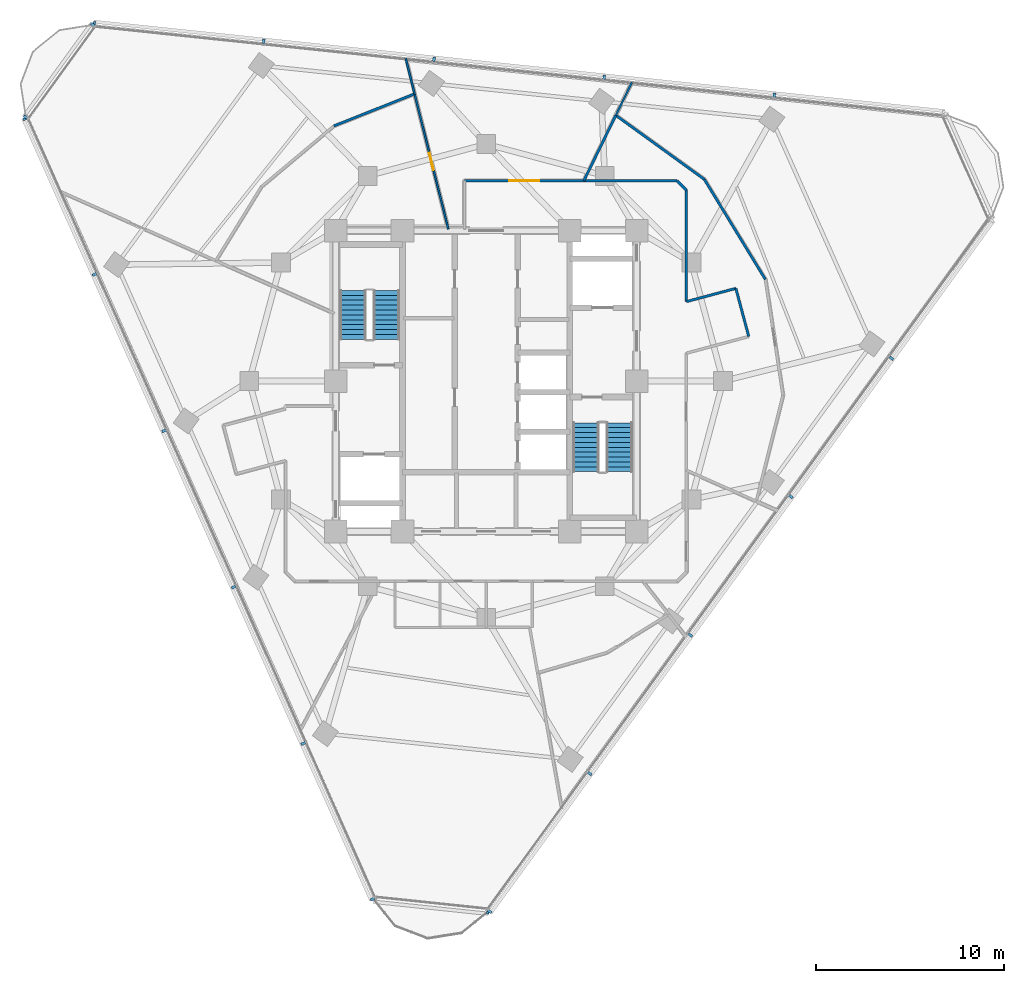
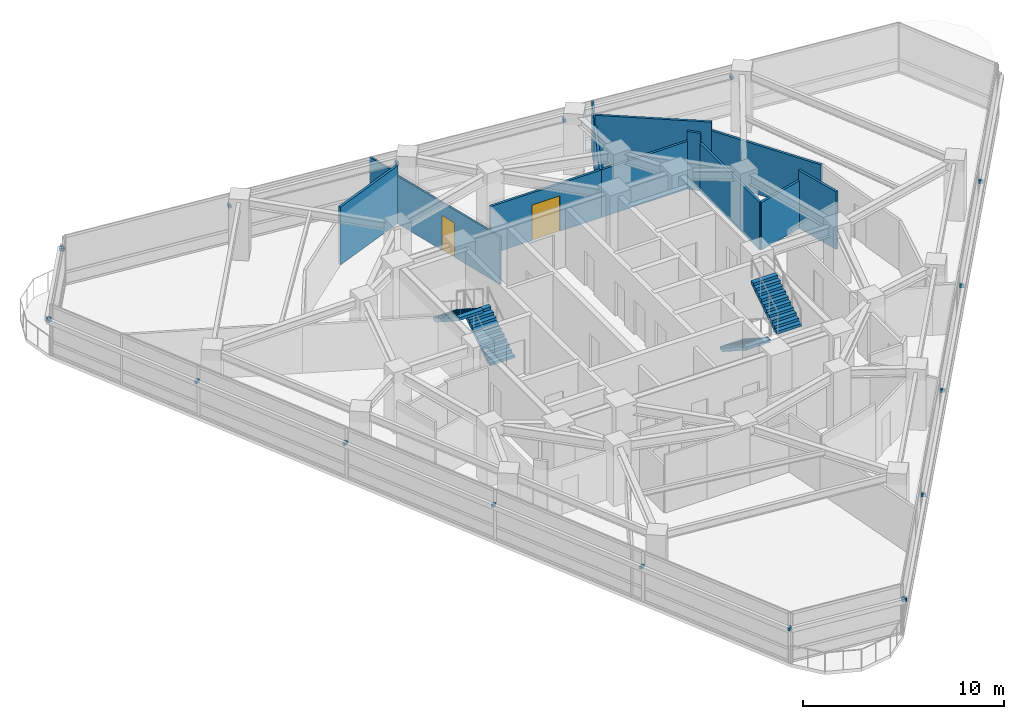
# One storey, part 10 of 15: 19 discrete accessories, 13 walls, 4 stair flights, 2 doors, 2 openings, 2 elements without a shape of their own.
"""IFC4 building model written with IfcOpenShell, lengths in metres."""

from ifc_helpers import new_model, si_unit, direction, frame, frame_2d, origin, origin_2d, place, context, subcontext, project, spatial, polyline, rectangle, outline, extrude, material, layer, layer_set, type_object, element, fill, aggregate, save


model = new_model("IFC4")

# Units and contexts
model_context = context("Model", 3, precision=1e-05, world=origin(), true_north=direction((0.0, 1.0)))
body_context = subcontext(model_context, "Body", "Model", "MODEL_VIEW")
ifc_project = project(units=[si_unit("LENGTHUNIT", "METRE"), si_unit("AREAUNIT", "SQUARE_METRE"), si_unit("VOLUMEUNIT", "CUBIC_METRE"), si_unit("PLANEANGLEUNIT", "RADIAN"), si_unit("MASSUNIT", "GRAM", prefix="KILO")], contexts=[model_context])

# Site, building, storey
site_placement = place(None, origin())
site = spatial("IfcSite", under=ifc_project, at=site_placement, CompositionType="ELEMENT")
building_placement = place(site_placement, origin())
building = spatial("IfcBuilding", under=site, at=building_placement, Name="Terralouvre Media Tower", CompositionType="ELEMENT")
storey_placement = place(building_placement, frame((0.0, 0.0, 233.699951171875)))
storey = spatial("IfcBuildingStorey", under=building, at=storey_placement, Name="L60", CompositionType="ELEMENT", Elevation=233.699951171875)

# Wall
ifc_material_1 = material(Name="Low-iron laminated double glazing with solar-control coating", Category="glass")
ifc_layer_1 = layer(ifc_material_1, 0.10009765625, Name="Demountable Glazed Office Partition PT-GL100")
ifc_layer_set_1 = layer_set([ifc_layer_1], Name="Low-iron laminated double glazing with solar-control coating")
wall_type_1 = type_object("IfcWallType", Name="Demountable Glazed Office Partition PT-GL100", PredefinedType="MOVABLE", material=ifc_layer_set_1)
wall_1_placement = place(storey_placement, frame((7.74658203125, 15.882080078125, 0.0), z_axis=(0.0, 0.0, 1.0), x_axis=(-0.438571753549, -0.898696176129, 0.0)))
element("IfcWall", 1, at=wall_1_placement, inside=storey, type_object=wall_type_1, Name="L60 Interior Partition 048", PredefinedType="MOVABLE", context=body_context, shape_type="SweptSolid", body=[
    extrude(rectangle(XDim=1.9482421875, YDim=0.10009765625, at=frame_2d((0.97412109375, 0.0))), origin(), (0.0, 0.0, 1.0), 3.03515625),
])

# Wall, opening, door
wall_2_placement = place(storey_placement, frame((-3.80810546875, 15.27099609375, 0.0), z_axis=(0.0, 0.0, 1.0), x_axis=(0.241993010569, -0.970277992555, 0.0)))
wall_2 = element("IfcWall", 2, at=wall_2_placement, inside=storey, type_object=wall_type_1, Name="L60 Interior Partition 049", PredefinedType="MOVABLE", context=body_context, shape_type="SweptSolid", body=[
    extrude(rectangle(XDim=7.4111328125, YDim=0.10009765625, at=frame_2d((3.70556640625, 0.0))), origin(), (0.0, 0.0, 1.0), 2.885009765625),
])
opening_1_placement = place(wall_2_placement, frame((3.24560546875, 0.0, 0.0)))
opening_1 = element("IfcOpeningElement", 3, at=opening_1_placement, cuts=wall_2, Name="Opening ID-03-92X210", PredefinedType="OPENING", context=body_context, shape_type="SweptSolid", body=[
    extrude(rectangle(XDim=0.919921875, YDim=2.10009765625, at=frame_2d((0.4599609375, 1.050048828125))), frame((0.0, 0.06005859375, 0.0), z_axis=(0.0, -1.0, 0.0), x_axis=(1.0, 0.0, 0.0)), (0.0, 0.0, 1.0), 0.1201171875),
])
ifc_material_2 = material(Name="Engineered hardwood acoustic timber leaf", Category="wood")
door_type_1 = type_object("IfcDoorType", Name="Accessible Restroom and Suite Door ID-03 (920x2100)", OperationType="NOTDEFINED", PredefinedType="DOOR", material=ifc_material_2)
door_1_placement = place(opening_1_placement, origin())
door_1 = element("IfcDoor", 4, at=door_1_placement, inside=storey, type_object=door_type_1, Name="L60 Fact-Check Reference Library 9 Door", OperationType="SINGLE_SWING_LEFT", OverallHeight=2.10009765625, OverallWidth=0.919921875, PredefinedType="DOOR", context=body_context, shape_type="SweptSolid", body=[
    extrude(rectangle(XDim=0.919921875, YDim=2.10009765625, at=frame_2d((0.4599609375, 1.050048828125))), frame((0.0, 0.02490234375, 0.0), z_axis=(0.0, -1.0, 0.0), x_axis=(1.0, 0.0, 0.0)), (0.0, 0.0, 1.0), 0.050048828125),
])
fill(opening_1, door_1)

# Walls
wall_3_placement = place(storey_placement, frame((-4.275390625, 17.1455078125, 0.0), z_axis=(0.0, 0.0, 1.0), x_axis=(0.241881394388, -0.970305823464, 0.0)))
element("IfcWall", 5, at=wall_3_placement, inside=storey, type_object=wall_type_1, Name="L60 Interior Partition 050", PredefinedType="MOVABLE", context=body_context, shape_type="SweptSolid", body=[
    extrude(rectangle(XDim=1.931884765625, YDim=0.10009765625, at=frame_2d((0.9658203125, 0.0))), origin(), (0.0, 0.0, 1.0), 3.03515625),
])
ifc_material_3 = material(Name="Fire-rated gypsum board drywall partition")
ifc_layer_2 = layer(ifc_material_3, 0.135009765625, Name="Newsroom Acoustic Partition PT-135")
ifc_layer_set_2 = layer_set([ifc_layer_2], Name="Fire-rated gypsum board drywall partition")
wall_type_2 = type_object("IfcWallType", Name="Newsroom Acoustic Partition PT-135", PredefinedType="PARTITIONING", material=ifc_layer_set_2)
wall_4_placement = place(storey_placement, frame((13.9619140625, 2.368896484375, 0.0), z_axis=(0.0, 0.0, 1.0), x_axis=(-0.258413725385, 0.966034340245, 0.0)))
element("IfcWall", 6, at=wall_4_placement, inside=storey, type_object=wall_type_2, Name="L60 Interior Partition 010", PredefinedType="PARTITIONING", context=body_context, shape_type="SweptSolid", body=[
    extrude(rectangle(XDim=2.650146484375, YDim=0.135009765625, at=frame_2d((1.3251953125, 0.0))), origin(), (0.0, 0.0, 1.0), 3.5),
])
wall_5_placement = place(storey_placement, frame((13.277099609375, 4.928955078125, 0.0), z_axis=(0.0, 0.0, 1.0), x_axis=(-0.965934830229, -0.258785439601, 0.0)))
element("IfcWall", 7, at=wall_5_placement, inside=storey, type_object=wall_type_2, Name="L60 Interior Partition 011", PredefinedType="PARTITIONING", context=body_context, shape_type="SweptSolid", body=[
    extrude(rectangle(XDim=2.719970703125, YDim=0.135009765625, at=frame_2d((1.35986328125, 0.0))), origin(), (0.0, 0.0, 1.0), 2.885009765625),
])
wall_6_placement = place(storey_placement, frame((10.64990234375, 4.22509765625, 0.0), z_axis=(0.0, 0.0, 1.0), x_axis=(0.0, 1.0, 0.0)))
element("IfcWall", 8, at=wall_6_placement, inside=storey, type_object=wall_type_2, Name="L60 Interior Partition 012", PredefinedType="PARTITIONING", context=body_context, shape_type="SweptSolid", body=[
    extrude(rectangle(XDim=5.9248046875, YDim=0.135009765625, at=frame_2d((2.96240234375, 0.0))), origin(), (0.0, 0.0, 1.0), 2.885009765625),
])
wall_7_placement = place(storey_placement, frame((10.64990234375, 10.14990234375, 0.0), z_axis=(0.0, 0.0, 1.0), x_axis=(-0.707106781187, 0.707106781187, 0.0)))
element("IfcWall", 9, at=wall_7_placement, inside=storey, type_object=wall_type_2, Name="L60 Interior Partition 013", PredefinedType="PARTITIONING", context=body_context, shape_type="SweptSolid", body=[
    extrude(rectangle(XDim=0.70703125, YDim=0.135009765625, at=frame_2d((0.353515625, 0.0))), origin(), (0.0, 0.0, 1.0), 3.5),
])
wall_8_placement = place(storey_placement, frame((10.14990234375, 10.64990234375, 0.0), z_axis=(0.0, 0.0, 1.0), x_axis=(-1.0, 0.0, 0.0)))
element("IfcWall", 10, at=wall_8_placement, inside=storey, type_object=wall_type_2, Name="L60 Interior Partition 014", PredefinedType="PARTITIONING", context=body_context, shape_type="SweptSolid", body=[
    extrude(rectangle(XDim=4.955810546875, YDim=0.135009765625, at=frame_2d((2.47802734375, 0.0))), origin(), (0.0, 0.0, 1.0), 2.885009765625),
])

# Wall, opening, door
wall_9_placement = place(storey_placement, frame((5.194091796875, 10.64990234375, 0.0), z_axis=(0.0, 0.0, 1.0), x_axis=(-1.0, 0.0, 0.0)))
wall_9 = element("IfcWall", 11, at=wall_9_placement, inside=storey, type_object=wall_type_2, Name="L60 Interior Partition 023", PredefinedType="PARTITIONING", context=body_context, shape_type="SweptSolid", body=[
    extrude(rectangle(XDim=6.343994140625, YDim=0.135009765625, at=frame_2d((3.171875, 0.0))), origin(), (0.0, 0.0, 1.0), 2.885009765625),
])
opening_2_placement = place(wall_9_placement, frame((2.3720703125, 0.0, 0.0)))
opening_2 = element("IfcOpeningElement", 12, at=opening_2_placement, cuts=wall_9, Name="Opening ID-04-160X215", PredefinedType="OPENING", context=body_context, shape_type="SweptSolid", body=[
    extrude(rectangle(XDim=1.60009765625, YDim=2.14990234375, at=frame_2d((0.800048828125, 1.074951171875))), frame((0.0, 0.077392578125, 0.0), z_axis=(0.0, -1.0, 0.0), x_axis=(1.0, 0.0, 0.0)), (0.0, 0.0, 1.0), 0.155029296875),
])
ifc_material_4 = material(Name="Engineered hardwood acoustic timber leaf", Category="wood")
door_type_2 = type_object("IfcDoorType", Name="Conference Double Acoustic Door ID-04 (1600x2150)", OperationType="DOUBLE_DOOR_SINGLE_SWING", PredefinedType="DOOR", material=ifc_material_4)
door_2_placement = place(opening_2_placement, origin())
door_2 = element("IfcDoor", 13, at=door_2_placement, inside=storey, type_object=door_type_2, Name="L60 Legal Vetting Conference Room 8 Door", OperationType="DOUBLE_DOOR_SINGLE_SWING", OverallHeight=2.14990234375, OverallWidth=1.60009765625, PredefinedType="DOOR", context=body_context, shape_type="SweptSolid", body=[
    extrude(rectangle(XDim=1.60009765625, YDim=2.14990234375, at=frame_2d((0.800048828125, 1.074951171875))), frame((0.0, 0.02490234375, 0.0), z_axis=(0.0, -1.0, 0.0), x_axis=(1.0, 0.0, 0.0)), (0.0, 0.0, 1.0), 0.050048828125),
])
fill(opening_2, door_2)

# Walls
wall_10_placement = place(storey_placement, frame((14.846923828125, 5.404052734375, 0.0), z_axis=(0.0, 0.0, 1.0), x_axis=(-0.520646426704, 0.853772392597, 0.0)))
element("IfcWall", 14, at=wall_10_placement, inside=storey, type_object=wall_type_2, Name="L60 Interior Partition 031", PredefinedType="PARTITIONING", context=body_context, shape_type="SweptSolid", body=[
    extrude(rectangle(XDim=6.232421875, YDim=0.135009765625, at=frame_2d((3.1162109375, 0.0))), origin(), (0.0, 0.0, 1.0), 2.985107421875),
])
wall_11_placement = place(storey_placement, frame((11.60205078125, 10.72509765625, 0.0), z_axis=(0.0, 0.0, 1.0), x_axis=(-0.810322435649, 0.58598425771, 0.0)))
element("IfcWall", 15, at=wall_11_placement, inside=storey, type_object=wall_type_2, Name="L60 Interior Partition 032", PredefinedType="PARTITIONING", context=body_context, shape_type="SweptSolid", body=[
    extrude(rectangle(XDim=5.8125, YDim=0.135009765625, at=frame_2d((2.90625, 0.0))), origin(), (0.0, 0.0, 1.0), 3.5),
])
wall_12_placement = place(storey_placement, frame((6.89208984375, 14.131103515625, 0.0), z_axis=(0.0, 0.0, 1.0), x_axis=(-0.438392584888, -0.898783589923, 0.0)))
element("IfcWall", 16, at=wall_12_placement, inside=storey, type_object=wall_type_2, Name="L60 Interior Partition 033", PredefinedType="PARTITIONING", context=body_context, shape_type="SweptSolid", body=[
    extrude(rectangle(XDim=3.873291015625, YDim=0.135009765625, at=frame_2d((1.9365234375, 0.0))), origin(), (0.0, 0.0, 1.0), 2.885009765625),
])
wall_13_placement = place(storey_placement, frame((-3.80810546875, 15.27099609375, 0.0), z_axis=(0.0, 0.0, 1.0), x_axis=(-0.929356809345, -0.369182774414, 0.0)))
element("IfcWall", 17, at=wall_13_placement, inside=storey, type_object=wall_type_2, Name="L60 Interior Partition 051", PredefinedType="PARTITIONING", context=body_context, shape_type="SweptSolid", body=[
    extrude(rectangle(XDim=4.615966796875, YDim=0.135009765625, at=frame_2d((2.30810546875, 0.0))), origin(), (0.0, 0.0, 1.0), 3.5),
])

# Stair, stair flights
ifc_material_5 = material(Name="Concrete C45/55", Category="concrete")
stair_type_1 = type_object("IfcStairType", Name="Dogleg Stair Assembly ST-01", PredefinedType="HALF_TURN_STAIR", material=ifc_material_5)
stair_1_placement = place(storey_placement, origin())
stair_1 = element("IfcStair", 18, at=stair_1_placement, inside=storey, type_object=stair_type_1, Name="L60 Core Pressurised Exit Stair ST-01", PredefinedType="HALF_TURN_STAIR")
ifc_material_6 = material(Name="Concrete C45/55", Category="concrete")
stair_flight_type = type_object("IfcStairFlightType", Name="Reinforced Concrete Stair Flight SF-RC1", PredefinedType="STRAIGHT", material=ifc_material_6)
stair_flight_1_placement = place(storey_placement, frame((-5.300048828125, 2.219970703125, 0.0), z_axis=(0.0, 0.0, 1.0), x_axis=(0.0, 1.0, 0.0)))
stair_flight_1 = element("IfcStairFlight", 19, at=stair_flight_1_placement, type_object=stair_flight_type, Name="ST-01 flight 1", NumberOfRisers=11, NumberOfTreads=10, PredefinedType="STRAIGHT", RiserHeight=0.168181818, TreadLength=0.26, context=body_context, shape_type="SweptSolid", body=[
    extrude(outline(polyline([(0.0, 0.0), (0.0, 0.168212890625), (0.260009765625, 0.168212890625), (0.260009765625, 0.33642578125), (0.52001953125, 0.33642578125), (0.52001953125, 0.504638671875), (0.780029296875, 0.504638671875), (0.780029296875, 0.672607421875), (1.0400390625, 0.672607421875), (1.0400390625, 0.8408203125), (1.300048828125, 0.8408203125), (1.300048828125, 1.009033203125), (1.56005859375, 1.009033203125), (1.56005859375, 1.17724609375), (1.820068359375, 1.17724609375), (1.820068359375, 1.345458984375), (2.080078125, 1.345458984375), (2.080078125, 1.513671875), (2.340087890625, 1.513671875), (2.340087890625, 1.681884765625), (2.60009765625, 1.681884765625), (2.60009765625, 1.85009765625), (2.60009765625, 1.503173828125), (0.27587890625, 0.0), (0.0, 0.0)])), frame((0.0, 0.699951171875, 0.0), z_axis=(0.0, -1.0, 0.0), x_axis=(1.0, 0.0, 0.0)), (0.0, 0.0, 1.0), 1.39990234375),
])
stair_flight_2_placement = place(storey_placement, frame((-7.080078125, 4.820068359375, 1.85009765625), z_axis=(0.0, 0.0, 1.0), x_axis=(0.0, -1.0, 0.0)))
stair_flight_2 = element("IfcStairFlight", 20, at=stair_flight_2_placement, type_object=stair_flight_type, Name="ST-01 flight 2", NumberOfRisers=11, NumberOfTreads=10, PredefinedType="STRAIGHT", RiserHeight=0.168181818, TreadLength=0.26, context=body_context, shape_type="SweptSolid", body=[
    extrude(outline(polyline([(0.0, 0.0), (0.0, 0.168212890625), (0.260009765625, 0.168212890625), (0.260009765625, 0.33642578125), (0.52001953125, 0.33642578125), (0.52001953125, 0.504638671875), (0.780029296875, 0.504638671875), (0.780029296875, 0.672607421875), (1.0400390625, 0.672607421875), (1.0400390625, 0.8408203125), (1.300048828125, 0.8408203125), (1.300048828125, 1.009033203125), (1.56005859375, 1.009033203125), (1.56005859375, 1.17724609375), (1.820068359375, 1.17724609375), (1.820068359375, 1.345458984375), (2.080078125, 1.345458984375), (2.080078125, 1.513671875), (2.340087890625, 1.513671875), (2.340087890625, 1.681884765625), (2.60009765625, 1.681884765625), (2.60009765625, 1.85009765625), (2.60009765625, 1.503173828125), (0.27587890625, 0.0), (0.0, 0.0)])), frame((0.0, 0.699951171875, 0.0), z_axis=(0.0, -1.0, 0.0), x_axis=(1.0, 0.0, 0.0)), (0.0, 0.0, 1.0), 1.39990234375),
])
aggregate(stair_1, [stair_flight_1, stair_flight_2])

ifc_material_7 = material(Name="Concrete C45/55", Category="concrete")
stair_type_2 = type_object("IfcStairType", Name="Dogleg Stair Assembly ST-02", PredefinedType="HALF_TURN_STAIR", material=ifc_material_7)
stair_2_placement = place(storey_placement, origin())
stair_2 = element("IfcStair", 21, at=stair_2_placement, inside=storey, type_object=stair_type_2, Name="L60 Core Pressurised Exit Stair ST-02", PredefinedType="HALF_TURN_STAIR")
stair_flight_3_placement = place(storey_placement, frame((5.300048828125, -2.219970703125, 0.0), z_axis=(0.0, 0.0, 1.0), x_axis=(0.0, -1.0, 0.0)))
stair_flight_3 = element("IfcStairFlight", 22, at=stair_flight_3_placement, type_object=stair_flight_type, Name="ST-02 flight 1", NumberOfRisers=11, NumberOfTreads=10, PredefinedType="STRAIGHT", RiserHeight=0.168181818, TreadLength=0.26, context=body_context, shape_type="SweptSolid", body=[
    extrude(outline(polyline([(0.0, 0.0), (0.0, 0.168212890625), (0.260009765625, 0.168212890625), (0.260009765625, 0.33642578125), (0.52001953125, 0.33642578125), (0.52001953125, 0.504638671875), (0.780029296875, 0.504638671875), (0.780029296875, 0.672607421875), (1.0400390625, 0.672607421875), (1.0400390625, 0.8408203125), (1.300048828125, 0.8408203125), (1.300048828125, 1.009033203125), (1.56005859375, 1.009033203125), (1.56005859375, 1.17724609375), (1.820068359375, 1.17724609375), (1.820068359375, 1.345458984375), (2.080078125, 1.345458984375), (2.080078125, 1.513671875), (2.340087890625, 1.513671875), (2.340087890625, 1.681884765625), (2.60009765625, 1.681884765625), (2.60009765625, 1.85009765625), (2.60009765625, 1.503173828125), (0.27587890625, 0.0), (0.0, 0.0)])), frame((0.0, 0.699951171875, 0.0), z_axis=(0.0, -1.0, 0.0), x_axis=(1.0, 0.0, 0.0)), (0.0, 0.0, 1.0), 1.39990234375),
])
stair_flight_4_placement = place(storey_placement, frame((7.080078125, -4.820068359375, 1.85009765625), z_axis=(0.0, 0.0, 1.0), x_axis=(0.0, 1.0, 0.0)))
stair_flight_4 = element("IfcStairFlight", 23, at=stair_flight_4_placement, type_object=stair_flight_type, Name="ST-02 flight 2", NumberOfRisers=11, NumberOfTreads=10, PredefinedType="STRAIGHT", RiserHeight=0.168181818, TreadLength=0.26, context=body_context, shape_type="SweptSolid", body=[
    extrude(outline(polyline([(0.0, 0.0), (0.0, 0.168212890625), (0.260009765625, 0.168212890625), (0.260009765625, 0.33642578125), (0.52001953125, 0.33642578125), (0.52001953125, 0.504638671875), (0.780029296875, 0.504638671875), (0.780029296875, 0.672607421875), (1.0400390625, 0.672607421875), (1.0400390625, 0.8408203125), (1.300048828125, 0.8408203125), (1.300048828125, 1.009033203125), (1.56005859375, 1.009033203125), (1.56005859375, 1.17724609375), (1.820068359375, 1.17724609375), (1.820068359375, 1.345458984375), (2.080078125, 1.345458984375), (2.080078125, 1.513671875), (2.340087890625, 1.513671875), (2.340087890625, 1.681884765625), (2.60009765625, 1.681884765625), (2.60009765625, 1.85009765625), (2.60009765625, 1.503173828125), (0.27587890625, 0.0), (0.0, 0.0)])), frame((0.0, 0.699951171875, 0.0), z_axis=(0.0, -1.0, 0.0), x_axis=(1.0, 0.0, 0.0)), (0.0, 0.0, 1.0), 1.39990234375),
])
aggregate(stair_2, [stair_flight_3, stair_flight_4])

# Discrete accessories
ifc_material_8 = material(Name="Anodised extruded aluminium 6063-T6", Category="aluminium")
discrete_accessory_type = type_object("IfcDiscreteAccessoryType", Name="Mullion Stand-Off Baguette Fixing Bracket BK-01", PredefinedType="BRACKET", material=ifc_material_8)
for number, where, z_axis, x_axis, name in (
    (24, (0.180419921875, -28.205322265625, 2.07421875), (0.0, 0.0, 1.0), (0.587785300879, 0.809016959074, 0.0), "CW-L60-F0 Baguette Outrigger Bracket 1.01"),
    (25, (5.50732421875, -20.87353515625, 2.07421875), (0.0, 0.0, 1.0), (0.587785300879, 0.809016959074, 0.0), "CW-L60-F0 Baguette Outrigger Bracket 1.02"),
    (26, (10.856201171875, -13.511474609375, 2.07421875), (0.0, 0.0, 1.0), (0.587785300879, 0.809016959074, 0.0), "CW-L60-F0 Baguette Outrigger Bracket 1.03"),
    (27, (16.205078125, -6.1494140625, 2.07421875), (0.0, 0.0, 1.0), (0.587785300879, 0.809016959074, 0.0), "CW-L60-F0 Baguette Outrigger Bracket 1.04"),
    (28, (21.553955078125, 1.212646484375, 2.07421875), (0.0, 0.0, 1.0), (0.587785300879, 0.809016959074, 0.0), "CW-L60-F0 Baguette Outrigger Bracket 1.05"),
    (29, (15.323486328125, 15.206298828125, 2.07421875), (0.0, 0.0, 1.0), (-0.994521885028, 0.104528561651, 0.0), "CW-L60-F1 Baguette Outrigger Bracket 1.02"),
    (30, (6.273193359375, 16.157470703125, 2.07421875), (0.0, 0.0, 1.0), (-0.994521885028, 0.104528561651, 0.0), "CW-L60-F1 Baguette Outrigger Bracket 1.03"),
    (31, (-2.77685546875, 17.108642578125, 2.07421875), (0.0, 0.0, 1.0), (-0.994521885028, 0.104528561651, 0.0), "CW-L60-F1 Baguette Outrigger Bracket 1.04"),
    (32, (-11.826904296875, 18.059814453125, 2.07421875), (0.0, 0.0, 1.0), (-0.994521885028, 0.104528561651, 0.0), "CW-L60-F1 Baguette Outrigger Bracket 1.05"),
    (33, (-20.83984375, 19.007080078125, 2.07421875), (0.0, 0.0, 1.0), (-0.994521885028, 0.104528561651, 0.0), "CW-L60-F1 Baguette Outrigger Bracket 1.06"),
    (34, (-24.516845703125, 13.9462890625, 2.07421875), (0.0, 0.0, 1.0), (0.406736679636, -0.913545441365, 0.0), "CW-L60-F2 Baguette Outrigger Bracket 1.01"),
    (35, (-20.830810546875, 5.667236328125, 2.07421875), (0.0, 0.0, 1.0), (0.406736679636, -0.913545441365, 0.0), "CW-L60-F2 Baguette Outrigger Bracket 1.02"),
    (36, (-17.12939453125, -2.64599609375, 2.07421875), (0.0, 0.0, 1.0), (0.406736679636, -0.913545441365, 0.0), "CW-L60-F2 Baguette Outrigger Bracket 1.03"),
    (37, (-13.42822265625, -10.959228515625, 2.07421875), (0.0, 0.0, 1.0), (0.406736679636, -0.913545441365, 0.0), "CW-L60-F2 Baguette Outrigger Bracket 1.04"),
    (38, (-9.726806640625, -19.2724609375, 2.07421875), (0.0, 0.0, 1.0), (0.406736679636, -0.913545441365, 0.0), "CW-L60-F2 Baguette Outrigger Bracket 1.05"),
    (39, (-6.040771484375, -27.551513671875, 2.07421875), (0.0, 0.0, 1.0), (0.406736679636, -0.913545441365, 0.0), "CW-L60-F2 Baguette Outrigger Bracket 1.06"),
    (40, (0.086669921875, -28.22802734375, 2.07421875), (0.0, 0.0, 1.0), (0.994521944551, -0.104527995322, 0.0), "CW-L60-C0 Baguette Outrigger Bracket 1.02"),
    (41, (-20.919677734375, 18.952880859375, 2.07421875), (0.0, 0.0, 1.0), (-0.58778588998, -0.809016531067, 0.0), "CW-L60-C2 Baguette Outrigger Bracket 1.01"),
    (42, (-24.48974609375, 14.0390625, 2.07421875), (0.0, 0.0, 1.0), (-0.58778588998, -0.809016531067, 0.0), "CW-L60-C2 Baguette Outrigger Bracket 1.02"),
):
    element("IfcDiscreteAccessory", number, at=place(storey_placement, frame(where, z_axis=z_axis, x_axis=x_axis)), inside=storey, type_object=discrete_accessory_type, Name=name, PredefinedType="BRACKET", context=body_context, shape_type="SweptSolid", body=[
        extrude(rectangle(XDim=0.139892578125, YDim=0.239990234375, at=origin_2d()), origin(), (0.0, 0.0, 1.0), 0.179931640625),
    ])

save(model, "model.ifc")
